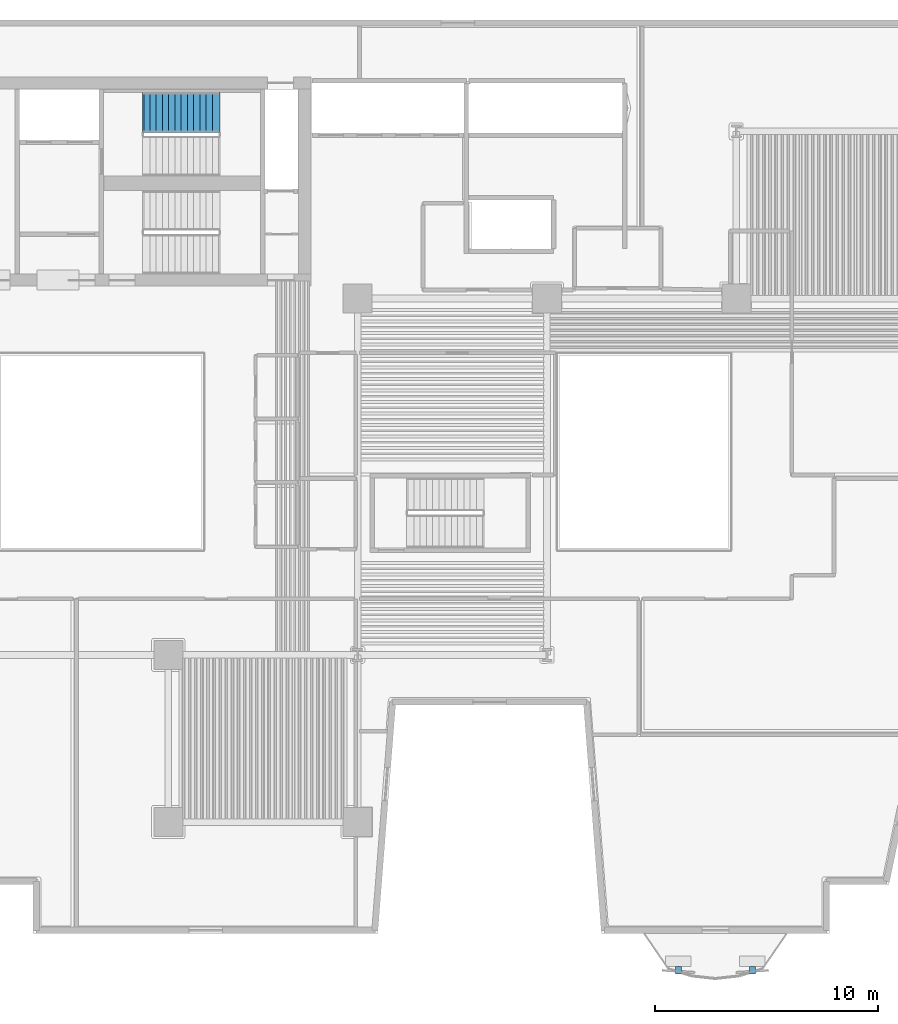
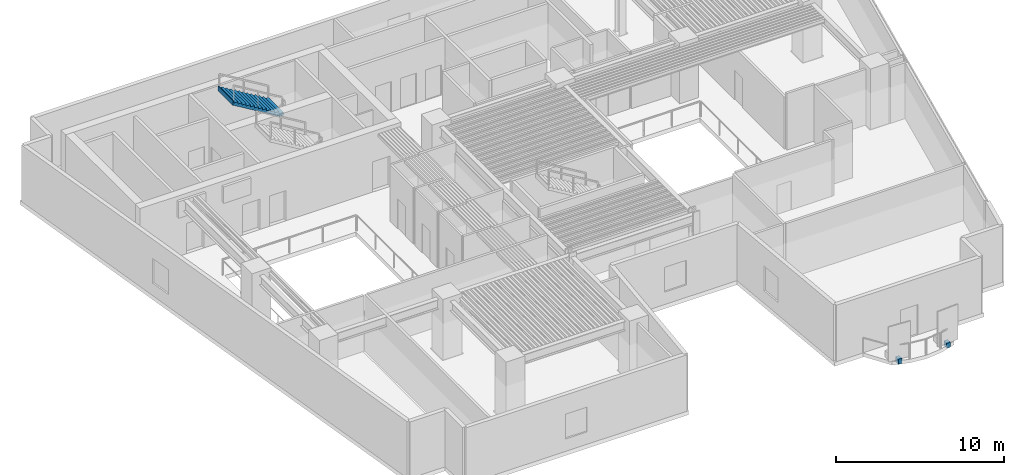
# One storey, part 7 of 11: 2 discrete accessories, 1 stair flight, 1 element without a shape of its own.
"""IFC4 building model written with IfcOpenShell, lengths in metres."""

from ifc_helpers import new_model, si_unit, direction, frame, origin, origin_2d, place, context, subcontext, project, spatial, polyline, rectangle, outline, extrude, material, type_object, element, aggregate, save


model = new_model("IFC4")

# Units and contexts
model_context = context("Model", 3, precision=1e-05, world=origin(), true_north=direction((0.0, 1.0)))
body_context = subcontext(model_context, "Body", "Model", "MODEL_VIEW")
ifc_project = project(units=[si_unit("LENGTHUNIT", "METRE"), si_unit("AREAUNIT", "SQUARE_METRE"), si_unit("VOLUMEUNIT", "CUBIC_METRE"), si_unit("PLANEANGLEUNIT", "RADIAN"), si_unit("MASSUNIT", "GRAM", prefix="KILO")], contexts=[model_context])

# Site, building, storey
site_placement = place(None, origin())
site = spatial("IfcSite", under=ifc_project, at=site_placement, CompositionType="ELEMENT")
building_placement = place(site_placement, origin())
building = spatial("IfcBuilding", under=site, at=building_placement, Name="Caeloran Harvest Quay", CompositionType="ELEMENT")
storey_placement = place(building_placement, frame((0.0, 0.0, 49.0)))
storey = spatial("IfcBuildingStorey", under=building, at=storey_placement, Name="L11", CompositionType="ELEMENT", Elevation=49.0)

# Stair, stair flight
ifc_material_1 = material(Name="Concrete C50/60", Category="concrete")
stair_type = type_object("IfcStairType", Name="STAIR-STC-180", PredefinedType="HALF_TURN_STAIR", material=ifc_material_1)
stair_placement = place(storey_placement, origin())
stair = element("IfcStair", 1, at=stair_placement, inside=storey, type_object=stair_type, Name="L11 Core Pressurized Exit Stair ST-C1", PredefinedType="HALF_TURN_STAIR")
stair_flight_type = type_object("IfcStairFlightType", Name="FLIGHT-STC-180", PredefinedType="STRAIGHT", material=ifc_material_1)
stair_flight_placement = place(storey_placement, frame((19.260009765625, 39.35009765625, 2.199951171875), z_axis=(0.0, 0.0, 1.0), x_axis=(-1.0, 0.0, 0.0)))
stair_flight = element("IfcStairFlight", 2, at=stair_flight_placement, type_object=stair_flight_type, Name="ST-C1 flight 2", NumberOfRisers=13, NumberOfTreads=12, PredefinedType="STRAIGHT", RiserHeight=0.169230769, TreadLength=0.28, context=body_context, shape_type="SweptSolid", body=[
    extrude(outline(polyline([(-0.054931640625, -0.044921875), (-0.054931640625, -0.031494140625), (-0.054931640625, -0.018310546875), (-0.054931640625, -0.0048828125), (-0.054931640625, 0.008544921875), (-0.054931640625, 0.02197265625), (-0.054931640625, 0.035400390625), (-0.054931640625, 0.048828125), (-0.054931640625, 0.06201171875), (-0.054931640625, 0.075439453125), (-0.054931640625, 0.0888671875), (-0.054931640625, 0.102294921875), (-0.054931640625, 0.11572265625), (-0.054931640625, 0.129150390625), (-0.054931640625, 0.142333984375), (-0.054931640625, 0.15576171875), (-0.054931640625, 0.169189453125), (0.280029296875, 0.169189453125), (0.280029296875, 0.33837890625), (0.56005859375, 0.33837890625), (0.56005859375, 0.5078125), (0.840087890625, 0.5078125), (0.840087890625, 0.677001953125), (1.1201171875, 0.677001953125), (1.1201171875, 0.84619140625), (1.39990234375, 0.84619140625), (1.39990234375, 1.015380859375), (1.679931640625, 1.015380859375), (1.679931640625, 1.1845703125), (1.9599609375, 1.1845703125), (1.9599609375, 1.353759765625), (2.239990234375, 1.353759765625), (2.239990234375, 1.523193359375), (2.52001953125, 1.523193359375), (2.52001953125, 1.6923828125), (2.800048828125, 1.6923828125), (2.800048828125, 1.861572265625), (3.080078125, 1.861572265625), (3.080078125, 2.03076171875), (3.360107421875, 2.03076171875), (3.360107421875, 2.199951171875), (3.4150390625, 2.199951171875), (3.4150390625, 2.178466796875), (3.4150390625, 2.156982421875), (3.4150390625, 2.135498046875), (3.4150390625, 2.114013671875), (3.4150390625, 2.09228515625), (3.4150390625, 2.07080078125), (3.4150390625, 2.04931640625), (3.4150390625, 2.02783203125), (3.4150390625, 2.00634765625), (3.4150390625, 1.98486328125), (3.4150390625, 1.963134765625), (3.4150390625, 1.941650390625), (3.4150390625, 1.920166015625), (3.4150390625, 1.898681640625), (3.4150390625, 1.877197265625), (3.4150390625, 1.855712890625), (3.360107421875, 1.855712890625), (0.21533203125, -0.044921875), (-0.054931640625, -0.044921875)])), frame((0.0, 0.89990234375, 0.0), z_axis=(0.0, -1.0, 0.0), x_axis=(1.0, 0.0, 0.0)), (0.0, 0.0, 1.0), 1.800048828125),
])
aggregate(stair, [stair_flight])

# Discrete accessories
ifc_material_2 = material(Name="Stainless Steel Grade 316L", Category="steel")
discrete_accessory_type = type_object("IfcDiscreteAccessoryType", Name="BRACKET-SCREEN-SS", PredefinedType="BRACKET", material=ifc_material_2)
for number, where, z_axis, x_axis, name in (
    (3, (43.218505859375, 0.855224609375, -0.22021484375), (0.0, 0.0, 1.0), (1.0, 0.0, 0.0), "L11 Balcony Screen Support Bracket 1"),
    (4, (39.8984375, 0.855224609375, -0.22021484375), (0.0, 0.0, 1.0), (1.0, 0.0, 0.0), "L11 Balcony Screen Support Bracket 2"),
):
    element("IfcDiscreteAccessory", number, at=place(storey_placement, frame(where, z_axis=z_axis, x_axis=x_axis)), inside=storey, type_object=discrete_accessory_type, Name=name, PredefinedType="BRACKET", context=body_context, shape_type="SweptSolid", body=[
        extrude(rectangle(XDim=0.260009765625, YDim=0.340087890625, at=origin_2d()), origin(), (0.0, 0.0, 1.0), 0.360107421875),
    ])

save(model, "model.ifc")
